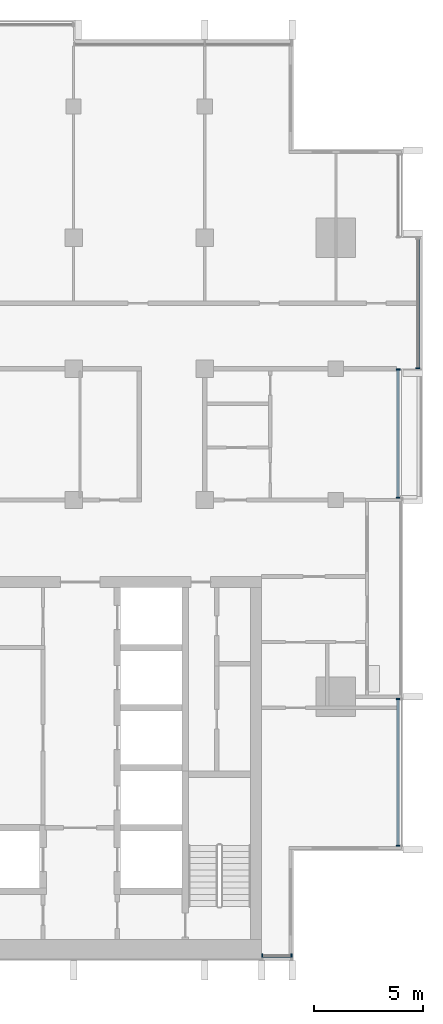
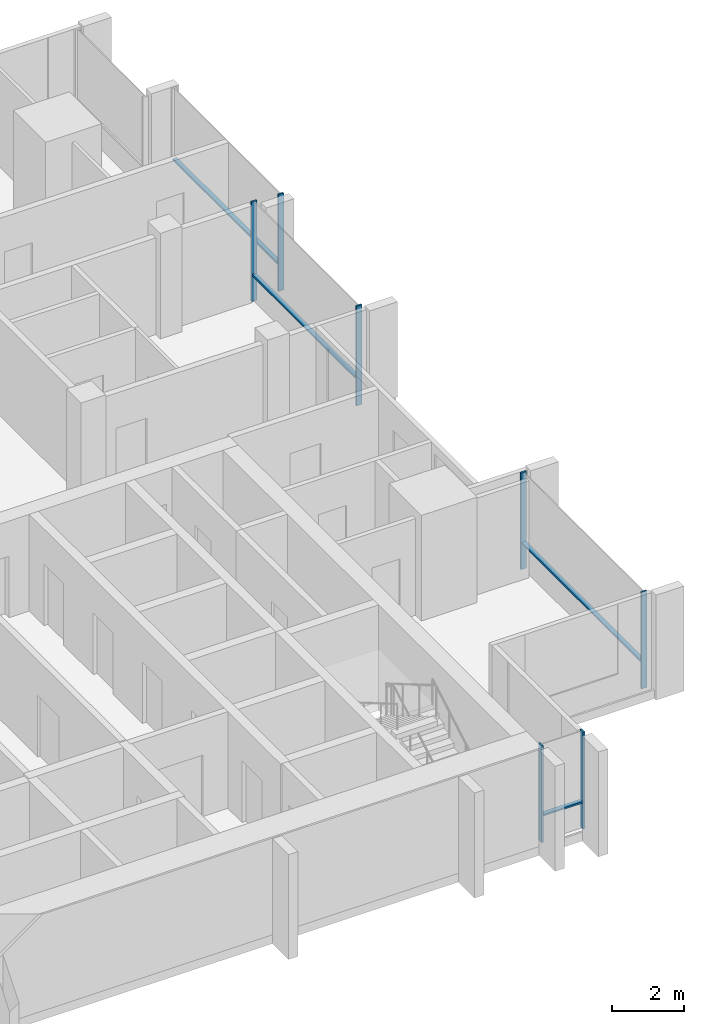
# One storey, part 3 of 15: 11 members, 4 elements without a shape of their own.
"""IFC4 building model written with IfcOpenShell, lengths in metres."""

from ifc_helpers import new_model, si_unit, direction, frame, origin, origin_2d, place, context, subcontext, project, spatial, rectangle, extrude, material, material_profile, profile_set, type_object, element, aggregate, save


model = new_model("IFC4")

# Units and contexts
model_context = context("Model", 3, precision=1e-05, world=origin(), true_north=direction((0.0, 1.0)))
body_context = subcontext(model_context, "Body", "Model", "MODEL_VIEW")
ifc_project = project(units=[si_unit("LENGTHUNIT", "METRE"), si_unit("AREAUNIT", "SQUARE_METRE"), si_unit("VOLUMEUNIT", "CUBIC_METRE"), si_unit("PLANEANGLEUNIT", "RADIAN"), si_unit("MASSUNIT", "GRAM", prefix="KILO")], contexts=[model_context])

# Site, building, storey
site_placement = place(None, origin())
site = spatial("IfcSite", under=ifc_project, at=site_placement, CompositionType="ELEMENT")
building_placement = place(site_placement, origin())
building = spatial("IfcBuilding", under=site, at=building_placement, Name="Finial Court Residences", CompositionType="ELEMENT")
storey_placement = place(building_placement, frame((0.0, 0.0, 266.300048828125)))
storey = spatial("IfcBuildingStorey", under=building, at=storey_placement, Name="L67", CompositionType="ELEMENT", Elevation=266.300048828125)

# Curtain wall, members
ifc_material = material(Name="Bronze anodised aluminium", Category="aluminium")
curtain_wall_type = type_object("IfcCurtainWallType", Name="Unitised curtain wall, upper zones", PredefinedType="NOTDEFINED", material=ifc_material)
curtain_wall_1_placement = place(storey_placement, origin())
curtain_wall_1 = element("IfcCurtainWall", 1, at=curtain_wall_1_placement, inside=storey, type_object=curtain_wall_type, Name="E-L67-CW-E4", PredefinedType="NOTDEFINED")
ifc_material_profile_1 = material_profile(ifc_material, rectangle(XDim=0.175048828125, YDim=0.06005859375, at=origin_2d()), Name="CW2 mullion 60 x 175")
ifc_profile_set_1 = profile_set([ifc_material_profile_1], Name="Bronze anodised aluminium")
member_type_1 = type_object("IfcMemberType", Name="CW2 mullion 60 x 175", PredefinedType="MULLION", material=ifc_profile_set_1)
member_1_placement = place(storey_placement, frame((19.35009765625, -20.320068359375, 0.0), z_axis=(0.0, 0.0, 1.0), x_axis=(-1.0, 0.0, 0.0)))
member_1 = element("IfcMember", 2, at=member_1_placement, type_object=member_type_1, Name="CW2 mullion 1", PredefinedType="MULLION", context=body_context, shape_type="SweptSolid", body=[
    extrude(rectangle(XDim=0.175048828125, YDim=0.06005859375, at=origin_2d()), origin(), (0.0, 0.0, 1.0), 3.300048828125),
])
member_2_placement = place(storey_placement, frame((19.35009765625, -13.60498046875, 0.0), z_axis=(0.0, 0.0, 1.0), x_axis=(-1.0, 0.0, 0.0)))
member_2 = element("IfcMember", 3, at=member_2_placement, type_object=member_type_1, Name="CW2 mullion 2", PredefinedType="MULLION", context=body_context, shape_type="SweptSolid", body=[
    extrude(rectangle(XDim=0.175048828125, YDim=0.06005859375, at=origin_2d()), origin(), (0.0, 0.0, 1.0), 3.300048828125),
])

curtain_wall_2_placement = place(storey_placement, origin())
curtain_wall_2 = element("IfcCurtainWall", 4, at=curtain_wall_2_placement, inside=storey, type_object=curtain_wall_type, Name="E-L67-CW-E5", PredefinedType="NOTDEFINED")
member_3_placement = place(storey_placement, frame((19.35009765625, -4.39501953125, 0.0), z_axis=(0.0, 0.0, 1.0), x_axis=(-1.0, 0.0, 0.0)))
member_3 = element("IfcMember", 5, at=member_3_placement, type_object=member_type_1, Name="CW2 mullion 1", PredefinedType="MULLION", context=body_context, shape_type="SweptSolid", body=[
    extrude(rectangle(XDim=0.175048828125, YDim=0.06005859375, at=origin_2d()), origin(), (0.0, 0.0, 1.0), 3.39990234375),
])
member_4_placement = place(storey_placement, frame((19.35009765625, 1.469970703125, 0.0), z_axis=(0.0, 0.0, 1.0), x_axis=(-1.0, 0.0, 0.0)))
member_4 = element("IfcMember", 6, at=member_4_placement, type_object=member_type_1, Name="CW2 mullion 2", PredefinedType="MULLION", context=body_context, shape_type="SweptSolid", body=[
    extrude(rectangle(XDim=0.175048828125, YDim=0.06005859375, at=origin_2d()), origin(), (0.0, 0.0, 1.0), 3.39990234375),
])

# Curtain wall, member
curtain_wall_3_placement = place(storey_placement, origin())
curtain_wall_3 = element("IfcCurtainWall", 7, at=curtain_wall_3_placement, inside=storey, type_object=curtain_wall_type, Name="E-L67-CW-E6", PredefinedType="NOTDEFINED")
member_5_placement = place(storey_placement, frame((20.25, 1.530029296875, 0.0), z_axis=(0.0, 0.0, 1.0), x_axis=(-1.0, 0.0, 0.0)))
member_5 = element("IfcMember", 8, at=member_5_placement, type_object=member_type_1, Name="CW2 mullion 1", PredefinedType="MULLION", context=body_context, shape_type="SweptSolid", body=[
    extrude(rectangle(XDim=0.175048828125, YDim=0.06005859375, at=origin_2d()), origin(), (0.0, 0.0, 1.0), 3.300048828125),
])

# Curtain wall, members
curtain_wall_4_placement = place(storey_placement, origin())
curtain_wall_4 = element("IfcCurtainWall", 9, at=curtain_wall_4_placement, inside=storey, type_object=curtain_wall_type, Name="E-L67-CW-S9", PredefinedType="NOTDEFINED")
member_6_placement = place(storey_placement, frame((13.1298828125, -25.35009765625, 0.0), z_axis=(0.0, 0.0, 1.0), x_axis=(0.0, 1.0, 0.0)))
member_6 = element("IfcMember", 10, at=member_6_placement, type_object=member_type_1, Name="CW2 mullion 1", PredefinedType="MULLION", context=body_context, shape_type="SweptSolid", body=[
    extrude(rectangle(XDim=0.175048828125, YDim=0.06005859375, at=origin_2d()), origin(), (0.0, 0.0, 1.0), 3.300048828125),
])
member_7_placement = place(storey_placement, frame((14.469970703125, -25.35009765625, 0.0), z_axis=(0.0, 0.0, 1.0), x_axis=(0.0, 1.0, 0.0)))
member_7 = element("IfcMember", 11, at=member_7_placement, type_object=member_type_1, Name="CW2 mullion 2", PredefinedType="MULLION", context=body_context, shape_type="SweptSolid", body=[
    extrude(rectangle(XDim=0.175048828125, YDim=0.06005859375, at=origin_2d()), origin(), (0.0, 0.0, 1.0), 3.300048828125),
])

# Member
ifc_material_profile_2 = material_profile(ifc_material, rectangle(XDim=0.139892578125, YDim=0.06005859375, at=origin_2d()), Name="CW2 transom 60 x 140")
ifc_profile_set_2 = profile_set([ifc_material_profile_2], Name="Bronze anodised aluminium")
member_type_2 = type_object("IfcMemberType", Name="CW2 transom 60 x 140", PredefinedType="USERDEFINED", material=ifc_profile_set_2)
member_8_placement = place(storey_placement, frame((19.35009765625, -20.2900390625, 0.89990234375), z_axis=(0.0, 1.0, 0.0), x_axis=(-1.0, 0.0, 0.0)))
member_8 = element("IfcMember", 12, at=member_8_placement, type_object=member_type_2, Name="CW2 transom 1.1", ObjectType="TRANSOM", PredefinedType="USERDEFINED", context=body_context, shape_type="SweptSolid", body=[
    extrude(rectangle(XDim=0.139892578125, YDim=0.06005859375, at=origin_2d()), origin(), (0.0, 0.0, 1.0), 6.655029296875),
])

aggregate(curtain_wall_1, [member_1, member_2, member_8])

member_9_placement = place(storey_placement, frame((19.35009765625, -4.364990234375, 0.89990234375), z_axis=(0.0, 1.0, 0.0), x_axis=(-1.0, 0.0, 0.0)))
member_9 = element("IfcMember", 13, at=member_9_placement, type_object=member_type_2, Name="CW2 transom 1.1", ObjectType="TRANSOM", PredefinedType="USERDEFINED", context=body_context, shape_type="SweptSolid", body=[
    extrude(rectangle(XDim=0.139892578125, YDim=0.06005859375, at=origin_2d()), origin(), (0.0, 0.0, 1.0), 5.804931640625),
])

aggregate(curtain_wall_2, [member_3, member_4, member_9])

member_10_placement = place(storey_placement, frame((20.25, 1.56005859375, 0.89990234375), z_axis=(0.0, 1.0, 0.0), x_axis=(-1.0, 0.0, 0.0)))
member_10 = element("IfcMember", 14, at=member_10_placement, type_object=member_type_2, Name="CW2 transom 1.1", ObjectType="TRANSOM", PredefinedType="USERDEFINED", context=body_context, shape_type="SweptSolid", body=[
    extrude(rectangle(XDim=0.139892578125, YDim=0.06005859375, at=origin_2d()), origin(), (0.0, 0.0, 1.0), 5.8798828125),
])

aggregate(curtain_wall_3, [member_5, member_10])

member_11_placement = place(storey_placement, frame((13.159912109375, -25.35009765625, 0.89990234375), z_axis=(1.0, 0.0, 0.0), x_axis=(0.0, 1.0, 0.0)))
member_11 = element("IfcMember", 15, at=member_11_placement, type_object=member_type_2, Name="CW2 transom 1.1", ObjectType="TRANSOM", PredefinedType="USERDEFINED", context=body_context, shape_type="SweptSolid", body=[
    extrude(rectangle(XDim=0.139892578125, YDim=0.06005859375, at=origin_2d()), origin(), (0.0, 0.0, 1.0), 1.280029296875),
])

aggregate(curtain_wall_4, [member_6, member_7, member_11])

save(model, "model.ifc")
